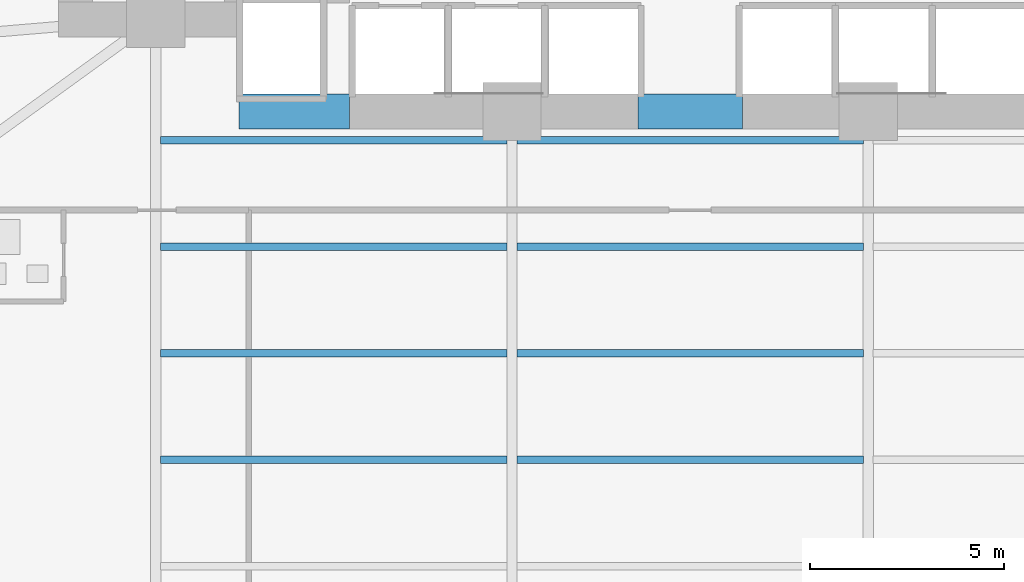
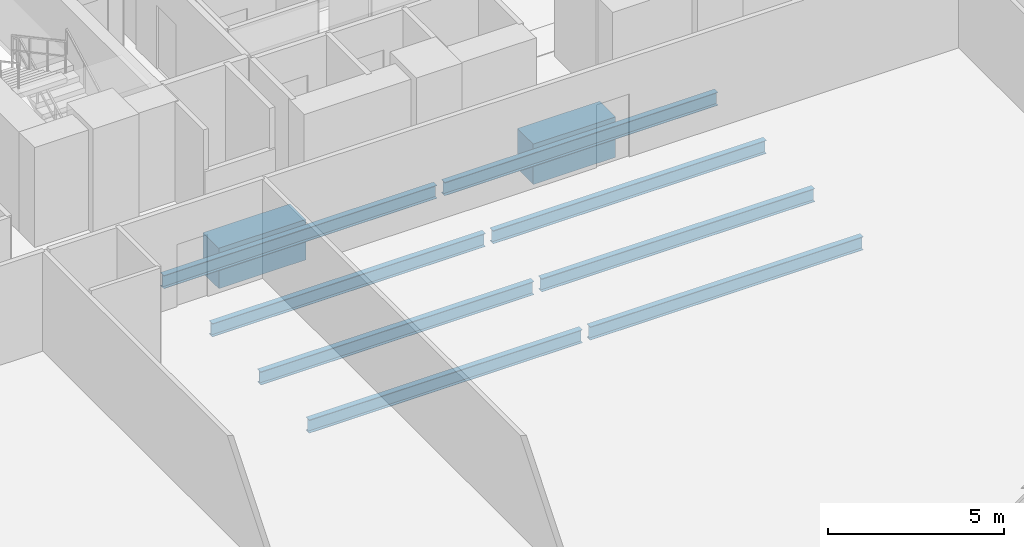
# One storey, part 7 of 28: 10 beams.
"""IFC4 building model written with IfcOpenShell, lengths in metres."""

from ifc_helpers import new_model, si_unit, direction, frame, origin, origin_2d, place, context, subcontext, project, spatial, rectangle, i_section, extrude, material, material_profile, profile_set, type_object, element, save


model = new_model("IFC4")

# Units and contexts
model_context = context("Model", 3, precision=1e-05, world=origin(), true_north=direction((0.0, 1.0)))
body_context = subcontext(model_context, "Body", "Model", "MODEL_VIEW")
ifc_project = project(units=[si_unit("LENGTHUNIT", "METRE"), si_unit("AREAUNIT", "SQUARE_METRE"), si_unit("VOLUMEUNIT", "CUBIC_METRE"), si_unit("PLANEANGLEUNIT", "RADIAN"), si_unit("MASSUNIT", "GRAM", prefix="KILO")], contexts=[model_context])

# Site, building, storey
site_placement = place(None, origin())
site = spatial("IfcSite", under=ifc_project, at=site_placement, CompositionType="ELEMENT")
building_placement = place(site_placement, origin())
building = spatial("IfcBuilding", under=site, at=building_placement, Name="Zuhayl Quay Hotel", CompositionType="ELEMENT")
storey_placement = place(building_placement, frame((0.0, 0.0, 71.39990234375)))
storey = spatial("IfcBuildingStorey", under=building, at=storey_placement, Name="L17", CompositionType="ELEMENT", Elevation=71.39990234375)

# Beams
ifc_material_1 = material(Name="Concrete C60/75", Category="concrete")
ifc_material_profile_1 = material_profile(ifc_material_1, rectangle(XDim=0.89990234375, YDim=1.39990234375, at=origin_2d()), Name="RC900X1400")
ifc_profile_set_1 = profile_set([ifc_material_profile_1], Name="Concrete C60/75")
beam_type_1 = type_object("IfcBeamType", Name="BM_CB1_RC900", PredefinedType="T_BEAM", material=ifc_profile_set_1)
beam_1_placement = place(storey_placement, frame((-11.64990234375, 2.14990234375, -0.919921875), z_axis=(1.0, 0.0, 0.0), x_axis=(0.0, 1.0, 0.0)))
element("IfcBeam", 1, at=beam_1_placement, inside=storey, type_object=beam_type_1, Name="L17 Core Coupling Beam SW", PredefinedType="T_BEAM", context=body_context, shape_type="SweptSolid", body=[
    extrude(rectangle(XDim=0.89990234375, YDim=1.39990234375, at=origin_2d()), origin(), (0.0, 0.0, 1.0), 2.849853515625),
])
beam_2_placement = place(storey_placement, frame((-1.35009765625, 2.14990234375, -0.919921875), z_axis=(1.0, 0.0, 0.0), x_axis=(0.0, 1.0, 0.0)))
element("IfcBeam", 2, at=beam_2_placement, inside=storey, type_object=beam_type_1, Name="L17 Core Coupling Beam South", PredefinedType="T_BEAM", context=body_context, shape_type="SweptSolid", body=[
    extrude(rectangle(XDim=0.89990234375, YDim=1.39990234375, at=origin_2d()), origin(), (0.0, 0.0, 1.0), 2.7001953125),
])
ifc_material_2 = material(Name="Steel ASTM A992 Grade 50", Category="steel")
ifc_material_profile_2 = material_profile(ifc_material_2, i_section(OverallWidth=0.18994140625, OverallDepth=0.45703125, WebThickness=0.009033203125, FlangeThickness=0.014404296875, at=origin_2d()), Name="W18X50")
ifc_profile_set_2 = profile_set([ifc_material_profile_2], Name="Steel ASTM A992 Grade 50")
beam_type_2 = type_object("IfcBeamType", Name="BM_J2_W18X50", PredefinedType="JOIST", material=ifc_profile_set_2)
beam_3_placement = place(storey_placement, frame((-13.674560546875, -6.85009765625, -0.448486328125), z_axis=(1.0, 0.0, 0.0), x_axis=(0.0, 1.0, 0.0)))
element("IfcBeam", 3, at=beam_3_placement, inside=storey, type_object=beam_type_2, Name="L17 Floor Beam FJ_L17_7_1", PredefinedType="JOIST", context=body_context, shape_type="SweptSolid", body=[
    extrude(i_section(OverallWidth=0.18994140625, OverallDepth=0.45703125, WebThickness=0.009033203125, FlangeThickness=0.014404296875, at=origin_2d()), origin(), (0.0, 0.0, 1.0), 8.948974609375),
])
beam_4_placement = place(storey_placement, frame((-4.474609375, -6.85009765625, -0.448486328125), z_axis=(1.0, 0.0, 0.0), x_axis=(0.0, 1.0, 0.0)))
element("IfcBeam", 4, at=beam_4_placement, inside=storey, type_object=beam_type_2, Name="L17 Floor Beam FJ_L17_7_2", PredefinedType="JOIST", context=body_context, shape_type="SweptSolid", body=[
    extrude(i_section(OverallWidth=0.18994140625, OverallDepth=0.45703125, WebThickness=0.009033203125, FlangeThickness=0.014404296875, at=origin_2d()), origin(), (0.0, 0.0, 1.0), 8.94921875),
])
beam_5_placement = place(storey_placement, frame((-13.674560546875, -4.10009765625, -0.448486328125), z_axis=(1.0, 0.0, 0.0), x_axis=(0.0, 1.0, 0.0)))
element("IfcBeam", 5, at=beam_5_placement, inside=storey, type_object=beam_type_2, Name="L17 Floor Beam FJ_L17_8_1", PredefinedType="JOIST", context=body_context, shape_type="SweptSolid", body=[
    extrude(i_section(OverallWidth=0.18994140625, OverallDepth=0.45703125, WebThickness=0.009033203125, FlangeThickness=0.014404296875, at=origin_2d()), origin(), (0.0, 0.0, 1.0), 8.948974609375),
])
beam_6_placement = place(storey_placement, frame((-4.474609375, -4.10009765625, -0.448486328125), z_axis=(1.0, 0.0, 0.0), x_axis=(0.0, 1.0, 0.0)))
element("IfcBeam", 6, at=beam_6_placement, inside=storey, type_object=beam_type_2, Name="L17 Floor Beam FJ_L17_8_2", PredefinedType="JOIST", context=body_context, shape_type="SweptSolid", body=[
    extrude(i_section(OverallWidth=0.18994140625, OverallDepth=0.45703125, WebThickness=0.009033203125, FlangeThickness=0.014404296875, at=origin_2d()), origin(), (0.0, 0.0, 1.0), 8.94921875),
])
beam_7_placement = place(storey_placement, frame((-13.674560546875, -1.35009765625, -0.448486328125), z_axis=(1.0, 0.0, 0.0), x_axis=(0.0, 1.0, 0.0)))
element("IfcBeam", 7, at=beam_7_placement, inside=storey, type_object=beam_type_2, Name="L17 Floor Beam FJ_L17_9_1", PredefinedType="JOIST", context=body_context, shape_type="SweptSolid", body=[
    extrude(i_section(OverallWidth=0.18994140625, OverallDepth=0.45703125, WebThickness=0.009033203125, FlangeThickness=0.014404296875, at=origin_2d()), origin(), (0.0, 0.0, 1.0), 8.948974609375),
])
beam_8_placement = place(storey_placement, frame((-4.474609375, -1.35009765625, -0.448486328125), z_axis=(1.0, 0.0, 0.0), x_axis=(0.0, 1.0, 0.0)))
element("IfcBeam", 8, at=beam_8_placement, inside=storey, type_object=beam_type_2, Name="L17 Floor Beam FJ_L17_9_2", PredefinedType="JOIST", context=body_context, shape_type="SweptSolid", body=[
    extrude(i_section(OverallWidth=0.18994140625, OverallDepth=0.45703125, WebThickness=0.009033203125, FlangeThickness=0.014404296875, at=origin_2d()), origin(), (0.0, 0.0, 1.0), 8.94921875),
])
beam_9_placement = place(storey_placement, frame((-13.674560546875, 1.39990234375, -0.448486328125), z_axis=(1.0, 0.0, 0.0), x_axis=(0.0, 1.0, 0.0)))
element("IfcBeam", 9, at=beam_9_placement, inside=storey, type_object=beam_type_2, Name="L17 Floor Beam FJ_L17_10_1", PredefinedType="JOIST", context=body_context, shape_type="SweptSolid", body=[
    extrude(i_section(OverallWidth=0.18994140625, OverallDepth=0.45703125, WebThickness=0.009033203125, FlangeThickness=0.014404296875, at=origin_2d()), origin(), (0.0, 0.0, 1.0), 8.948974609375),
])
beam_10_placement = place(storey_placement, frame((-4.474609375, 1.39990234375, -0.448486328125), z_axis=(1.0, 0.0, 0.0), x_axis=(0.0, 1.0, 0.0)))
element("IfcBeam", 10, at=beam_10_placement, inside=storey, type_object=beam_type_2, Name="L17 Floor Beam FJ_L17_10_2", PredefinedType="JOIST", context=body_context, shape_type="SweptSolid", body=[
    extrude(i_section(OverallWidth=0.18994140625, OverallDepth=0.45703125, WebThickness=0.009033203125, FlangeThickness=0.014404296875, at=origin_2d()), origin(), (0.0, 0.0, 1.0), 8.94921875),
])

save(model, "model.ifc")
